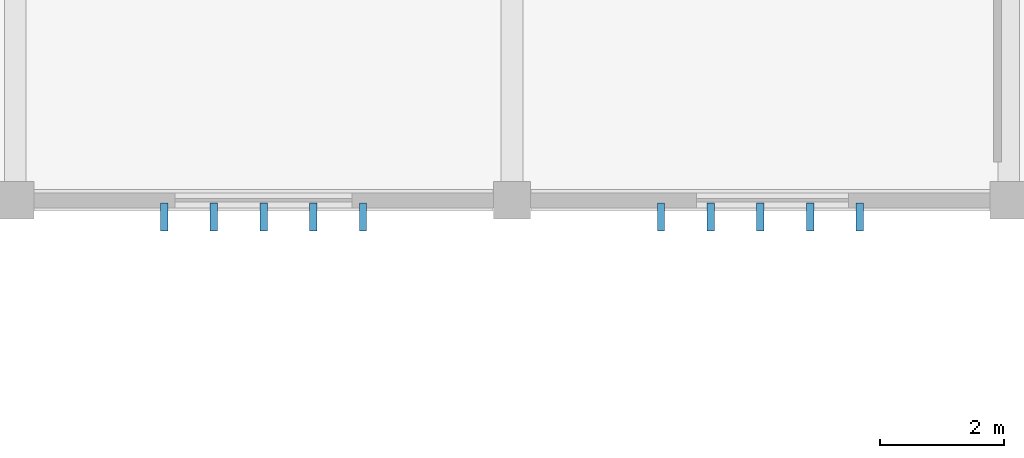
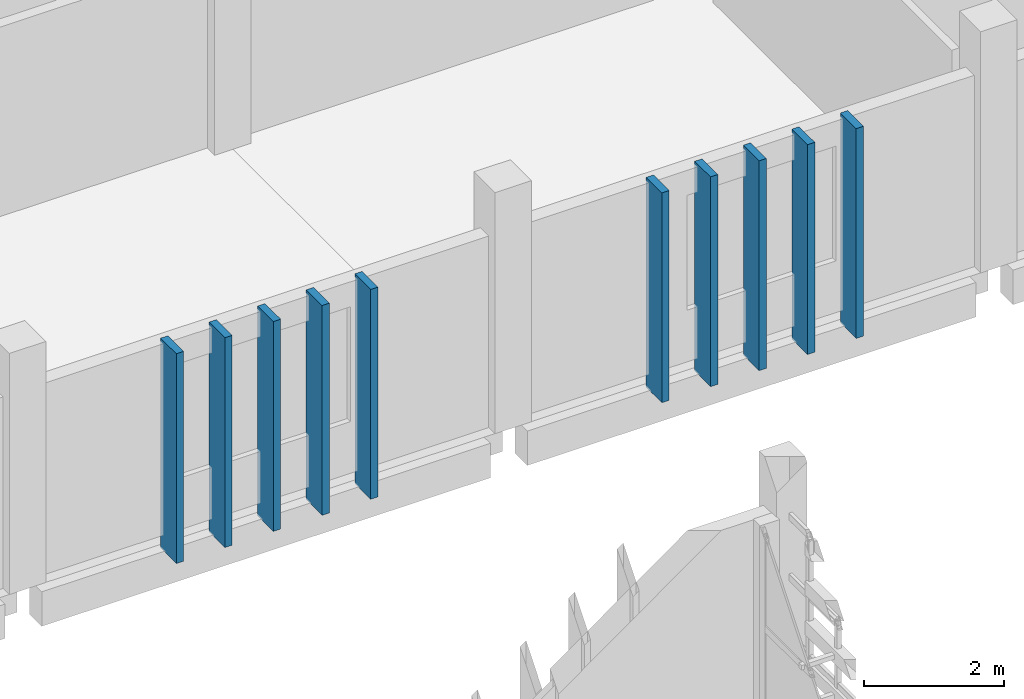
# One storey, part 14 of 48: 10 members.
"""IFC4 building model written with IfcOpenShell, lengths in metres."""

import ifcopenshell
import ifcopenshell.guid

model = None  # the IFC model being written
_history = None  # IfcOwnerHistory: only IFC2X3 demands one
_inside = {}  # id of a spatial element -> (the spatial element, [elements in it])
_under = {}  # id of a project, library or spatial element -> (it, [spatial elements below it])
_declared = {}  # id of a project -> (the project, [libraries it declares])
_typed = {}  # id of a type object -> (the type object, [elements of that type])
_made_of = {}  # id of a material, layer set ... -> (it, [elements and type objects made of it])


def new_model(schema):
    """Start an empty IFC model of exactly this schema.

    Asked for "IFC4X3", IfcOpenShell would pick the latest addendum, in which some entities
    have other attributes; the version numbers below select the first issue.
    IFC2X3 requires an IfcOwnerHistory on every rooted entity: one is made here for all.
    """
    global model, _history
    if schema == "IFC4X3":
        model = ifcopenshell.file(schema_version=(4, 3, 0, 0))
    else:
        model = ifcopenshell.file(schema=schema)
    _inside.clear()
    _under.clear()
    _declared.clear()
    _typed.clear()
    _made_of.clear()
    _history = None
    if model.schema == "IFC2X3":
        org = make("IfcOrganization", Name="unknown")
        user = make(
            "IfcPersonAndOrganization",
            ThePerson=make("IfcPerson", FamilyName="unknown"),
            TheOrganization=org,
        )
        app = make(
            "IfcApplication",
            ApplicationDeveloper=org,
            Version="unknown",
            ApplicationFullName="unknown",
            ApplicationIdentifier="unknown",
        )
        _history = make(
            "IfcOwnerHistory",
            OwningUser=user,
            OwningApplication=app,
            ChangeAction="ADDED",
            CreationDate=0,
        )
    return model


def make(cls, **values):
    """One entity of the class cls with the attributes given. An attribute that is None is left unset."""
    return model.create_entity(
        cls, **{name: value for name, value in values.items() if value is not None}
    )


def rooted(cls, **values):
    """An entity with a GlobalId (a new one), such as an element, a storey or a relation."""
    return make(cls, GlobalId=ifcopenshell.guid.new(), OwnerHistory=_history, **values)


def si_unit(unit_type, name, prefix=None):
    """IfcSIUnit, for example si_unit("LENGTHUNIT", "METRE", prefix="MILLI")."""
    return make("IfcSIUnit", UnitType=unit_type, Prefix=prefix, Name=name)


def assignment(units):
    """IfcUnitAssignment: the units of a project."""
    return None if units is None else make("IfcUnitAssignment", Units=units)


def point(xyz):
    """IfcCartesianPoint."""
    return None if xyz is None else make("IfcCartesianPoint", Coordinates=xyz)


def direction(xyz):
    """IfcDirection."""
    return None if xyz is None else make("IfcDirection", DirectionRatios=xyz)


def frame(location, z_axis=None, x_axis=None):
    """IfcAxis2Placement3D, a coordinate frame: its origin and axes. An axis left out is left unset."""
    return make(
        "IfcAxis2Placement3D",
        Location=point(location),
        Axis=direction(z_axis),
        RefDirection=direction(x_axis),
    )


def frame_2d(location, x_axis=None):
    """IfcAxis2Placement2D, a coordinate frame in the plane: its origin and x axis."""
    return make(
        "IfcAxis2Placement2D", Location=point(location), RefDirection=direction(x_axis)
    )


def origin():
    """The frame at (0, 0, 0) with its axes left unset."""
    return frame((0.0, 0.0, 0.0))


def origin_2d():
    """The frame at (0, 0) in the plane with its x axis left unset."""
    return frame_2d((0.0, 0.0))


def place(relative_to, where):
    """IfcLocalPlacement: puts the frame where relative to a parent placement (None: the world)."""
    return make(
        "IfcLocalPlacement", PlacementRelTo=relative_to, RelativePlacement=where
    )


def context(
    kind, dimensions, precision=None, world=None, true_north=None, identifier=None
):
    """IfcGeometricRepresentationContext, for example the 3D "Model" context."""
    return make(
        "IfcGeometricRepresentationContext",
        ContextIdentifier=identifier,
        ContextType=kind,
        CoordinateSpaceDimension=dimensions,
        Precision=precision,
        WorldCoordinateSystem=world,
        TrueNorth=true_north,
    )


def subcontext(parent, identifier, kind, view, scale=None):
    """IfcGeometricRepresentationSubContext, for example "Body" below "Model"."""
    return make(
        "IfcGeometricRepresentationSubContext",
        ContextIdentifier=identifier,
        ContextType=kind,
        ParentContext=parent,
        TargetScale=scale,
        TargetView=view,
    )


def project(units=None, contexts=None):
    """IfcProject with its units and contexts."""
    return rooted(
        "IfcProject",
        Name="project",
        RepresentationContexts=contexts,
        UnitsInContext=assignment(units),
    )


def spatial(cls, under=None, at=None, **own):
    """A site, building, storey or space (cls), placed at a placement, below another one or the project."""
    s = rooted(cls, ObjectPlacement=at, **own)
    if under is not None:
        _under.setdefault(under.id(), (under, []))[1].append(s)
    return s


def profile(cls, at=None, kind="AREA", **sizes):
    """A parametric profile (cls). Its sizes go by their IFC names, for example OverallWidth=200.0."""
    return make(cls, ProfileType=kind, Position=at, **sizes)


def rectangle(**sizes):
    """IfcRectangleProfileDef."""
    return profile("IfcRectangleProfileDef", **sizes)


def extrude(swept, where, along, depth):
    """IfcExtrudedAreaSolid: the profile swept, set in the frame where, extruded along a direction by depth."""
    return make(
        "IfcExtrudedAreaSolid",
        SweptArea=swept,
        Position=where,
        ExtrudedDirection=direction(along),
        Depth=depth,
    )


def shape(context_of_items, identifier, shape_type, items):
    """IfcShapeRepresentation: the items that make up one representation, for example the "Body"."""
    return make(
        "IfcShapeRepresentation",
        ContextOfItems=context_of_items,
        RepresentationIdentifier=identifier,
        RepresentationType=shape_type,
        Items=items,
    )


def material(Name=None, Category=None):
    """IfcMaterial."""
    return make("IfcMaterial", Name=Name, Category=Category)


def material_profile(
    of_material, cross_section, Name=None, Category=None, Priority=None
):
    """IfcMaterialProfile: a cross section and its material."""
    return make(
        "IfcMaterialProfile",
        Name=Name,
        Material=of_material,
        Profile=cross_section,
        Priority=Priority,
        Category=Category,
    )


def profile_set(profiles, Name=None, composite=None):
    """IfcMaterialProfileSet."""
    return make(
        "IfcMaterialProfileSet",
        Name=Name,
        MaterialProfiles=profiles,
        CompositeProfile=composite,
    )


def made_of(thing, what):
    """Note that an element or type object is made of a material, layer set ...; save() writes the relation."""
    if what is not None:
        _made_of.setdefault(what.id(), (what, []))[1].append(thing)
    return thing


def type_object(cls, material=None, **own):
    """A type object (cls), such as IfcWallType, which elements share."""
    return made_of(rooted(cls, **own), material)


def element(
    cls,
    number,
    at=None,
    inside=None,
    cuts=None,
    type_object=None,
    material=None,
    context=None,
    identifier="Body",
    shape_type=None,
    held_by="IfcProductDefinitionShape",
    body=None,
    shapes=None,
    **own,
):
    """One element of the class cls, such as IfcWall. Its Tag is "e" and its number.

    at: its placement. inside: the storey or other place that contains it. cuts: it is an
    opening in that element (IfcRelVoidsElement). A single representation is given by context,
    identifier, shape_type and body (its items); several are given by shapes. held_by: the class
    of the entity that holds the representations. save() writes the other relations.
    """
    e = rooted(cls, Tag="e%d" % number, ObjectPlacement=at, **own)
    if body is not None:
        shapes = [shape(context, identifier, shape_type, body)]
    if shapes is not None:
        e.Representation = make(held_by, Representations=shapes)
    if inside is not None:
        _inside.setdefault(inside.id(), (inside, []))[1].append(e)
    if cuts is not None:
        rooted(
            "IfcRelVoidsElement", RelatingBuildingElement=cuts, RelatedOpeningElement=e
        )
    if type_object is not None:
        _typed.setdefault(type_object.id(), (type_object, []))[1].append(e)
    return made_of(e, material)


def aggregate(whole, parts):
    """IfcRelAggregates: a whole, such as a stair, and the parts it consists of."""
    return rooted("IfcRelAggregates", RelatingObject=whole, RelatedObjects=parts)


def save(model, path):
    """Write the relations noted so far, then the file.

    IfcRelAggregates (storeys below a building ...), IfcRelContainedInSpatialStructure (elements
    in a storey), IfcRelDefinesByType, IfcRelAssociatesMaterial and IfcRelDeclares: one each for
    every whole, place, type object, material and project.
    """
    for whole, parts in _under.values():
        aggregate(whole, parts)
    for where, things in _inside.values():
        rooted(
            "IfcRelContainedInSpatialStructure",
            RelatedElements=things,
            RelatingStructure=where,
        )
    for kind, things in _typed.values():
        rooted("IfcRelDefinesByType", RelatedObjects=things, RelatingType=kind)
    for what, things in _made_of.values():
        rooted("IfcRelAssociatesMaterial", RelatedObjects=things, RelatingMaterial=what)
    for by, libraries in _declared.values():
        rooted("IfcRelDeclares", RelatingContext=by, RelatedDefinitions=libraries)
    model.write(path)


model = new_model("IFC4")

# Units and contexts
model_context = context("Model", 3, precision=1e-05, world=origin(), true_north=direction((0.0, 1.0)))
body_context = subcontext(model_context, "Body", "Model", "MODEL_VIEW")
ifc_project = project(units=[si_unit("LENGTHUNIT", "METRE"), si_unit("AREAUNIT", "SQUARE_METRE"), si_unit("VOLUMEUNIT", "CUBIC_METRE"), si_unit("PLANEANGLEUNIT", "RADIAN"), si_unit("MASSUNIT", "GRAM", prefix="KILO")], contexts=[model_context])

# Site, building, storey
site_placement = place(None, origin())
site = spatial("IfcSite", under=ifc_project, at=site_placement, CompositionType="ELEMENT")
building_placement = place(site_placement, origin())
building = spatial("IfcBuilding", under=site, at=building_placement, Name="Jelvoka-Kovrelna Polytechnic", CompositionType="ELEMENT")
storey_placement = place(building_placement, frame((0.0, 0.0, 22.199951171875)))
storey = spatial("IfcBuildingStorey", under=building, at=storey_placement, Name="L06", CompositionType="ELEMENT", Elevation=22.199951171875)

# Members
ifc_material = material(Name="Precast concrete C40/50", Category="concrete")
ifc_material_profile = material_profile(ifc_material, rectangle(XDim=0.1201171875, YDim=0.449951171875, at=origin_2d()), Name="PC 120x450")
ifc_profile_set = profile_set([ifc_material_profile], Name="Precast concrete C40/50")
member_type = type_object("IfcMemberType", Name="Louvre_Fin_120x450", PredefinedType="USERDEFINED", material=ifc_profile_set)
for number, where, z_axis, x_axis, name in (
    (1, (106.39990234375, 55.735107421875, -0.27001953125), (0.0, 0.0, 1.0), (1.0, 0.0, 0.0), "L06 B3 south vertical solar louvre fin 1986"),
    (2, (107.199951171875, 55.735107421875, -0.27001953125), (0.0, 0.0, 1.0), (1.0, 0.0, 0.0), "L06 B3 south vertical solar louvre fin 1987"),
    (3, (108.0, 55.735107421875, -0.27001953125), (0.0, 0.0, 1.0), (1.0, 0.0, 0.0), "L06 B3 south vertical solar louvre fin 1988"),
    (4, (108.800048828125, 55.735107421875, -0.27001953125), (0.0, 0.0, 1.0), (1.0, 0.0, 0.0), "L06 B3 south vertical solar louvre fin 1989"),
    (5, (109.60009765625, 55.735107421875, -0.27001953125), (0.0, 0.0, 1.0), (1.0, 0.0, 0.0), "L06 B3 south vertical solar louvre fin 1990"),
    (6, (114.39990234375, 55.735107421875, -0.27001953125), (0.0, 0.0, 1.0), (1.0, 0.0, 0.0), "L06 B3 south vertical solar louvre fin 1996"),
    (7, (115.199951171875, 55.735107421875, -0.27001953125), (0.0, 0.0, 1.0), (1.0, 0.0, 0.0), "L06 B3 south vertical solar louvre fin 1997"),
    (8, (116.0, 55.735107421875, -0.27001953125), (0.0, 0.0, 1.0), (1.0, 0.0, 0.0), "L06 B3 south vertical solar louvre fin 1998"),
    (9, (116.800048828125, 55.735107421875, -0.27001953125), (0.0, 0.0, 1.0), (1.0, 0.0, 0.0), "L06 B3 south vertical solar louvre fin 1999"),
    (10, (117.60009765625, 55.735107421875, -0.27001953125), (0.0, 0.0, 1.0), (1.0, 0.0, 0.0), "L06 B3 south vertical solar louvre fin 2000"),
):
    element("IfcMember", number, at=place(storey_placement, frame(where, z_axis=z_axis, x_axis=x_axis)), inside=storey, type_object=member_type, Name=name, ObjectType="SUNSHADE", PredefinedType="USERDEFINED", context=body_context, shape_type="SweptSolid", body=[
        extrude(rectangle(XDim=0.1201171875, YDim=0.449951171875, at=origin_2d()), origin(), (0.0, 0.0, 1.0), 3.655029296875),
    ])

save(model, "model.ifc")
